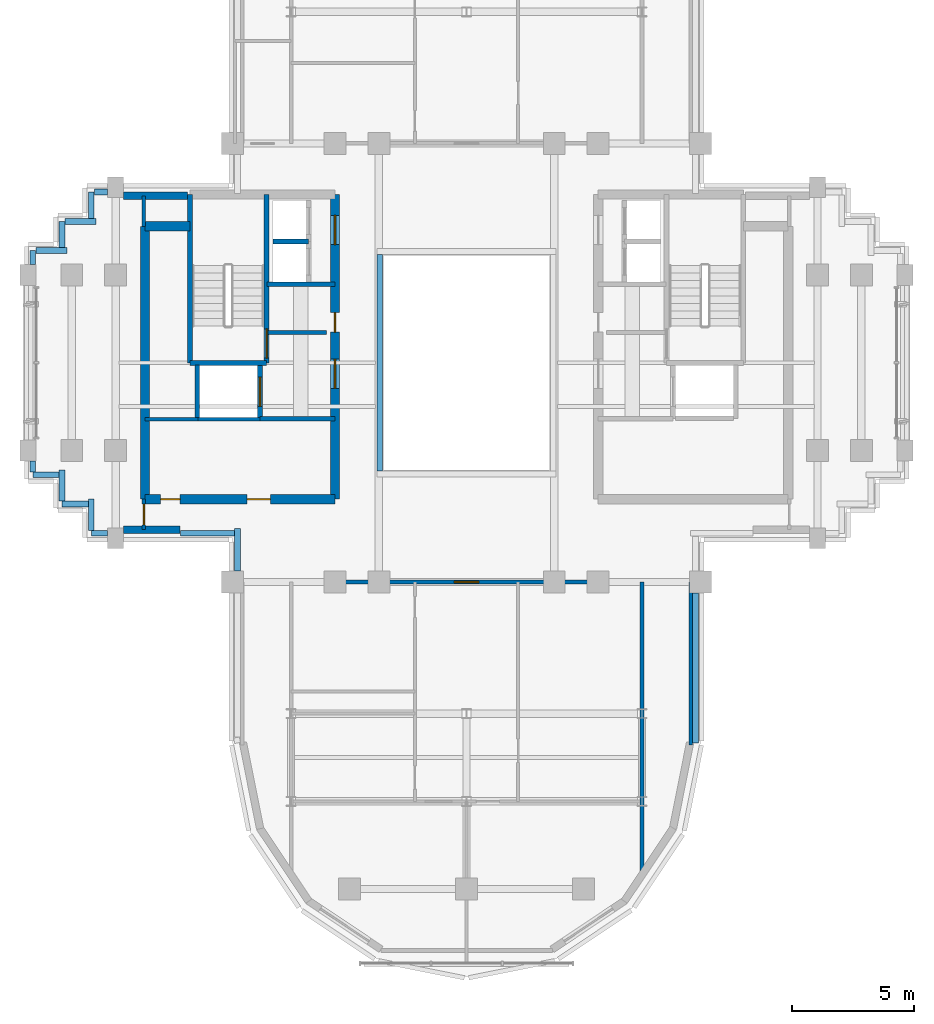
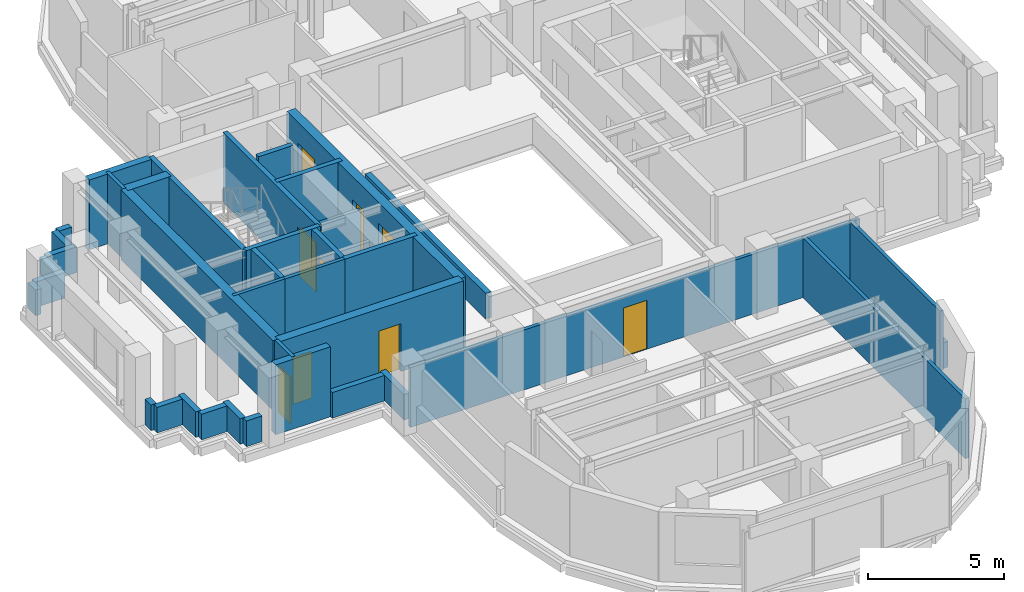
# One storey, part 6 of 11: 38 walls, 9 doors, 9 openings.
"""IFC4 building model written with IfcOpenShell, lengths in metres."""

from ifc_helpers import new_model, si_unit, direction, frame, frame_2d, origin, place, context, subcontext, project, spatial, rectangle, extrude, source, transform, mapped, material, layer, layer_set, type_object, element, fill, save


model = new_model("IFC4")

# Units and contexts
model_context = context("Model", 3, precision=1e-05, world=origin(), true_north=direction((0.0, 1.0)))
body_context = subcontext(model_context, "Body", "Model", "MODEL_VIEW")
ifc_project = project(units=[si_unit("LENGTHUNIT", "METRE"), si_unit("AREAUNIT", "SQUARE_METRE"), si_unit("VOLUMEUNIT", "CUBIC_METRE"), si_unit("PLANEANGLEUNIT", "RADIAN"), si_unit("MASSUNIT", "GRAM", prefix="KILO")], contexts=[model_context])

# Site, building, storey
site_placement = place(None, origin())
site = spatial("IfcSite", under=ifc_project, at=site_placement, CompositionType="ELEMENT")
building_placement = place(site_placement, origin())
building = spatial("IfcBuilding", under=site, at=building_placement, Name="Keilestroom Media Tower", CompositionType="ELEMENT")
storey_placement = place(building_placement, frame((0.0, 0.0, 211.39990234375)))
storey = spatial("IfcBuildingStorey", under=building, at=storey_placement, Name="L58", CompositionType="ELEMENT", Elevation=211.39990234375)

# Walls
ifc_material_1 = material(Name="Precast concrete C40/50", Category="concrete")
ifc_layer_1 = layer(ifc_material_1, 0.300048828125)
ifc_layer_set_1 = layer_set([ifc_layer_1], Name="Precast concrete C40/50")
wall_type_1 = type_object("IfcWallType", Name="Exterior-Masonry-Spandrel-Wall-300", PredefinedType="SOLIDWALL", material=ifc_layer_set_1)
wall_1_placement = place(storey_placement, frame((-14.0830078125, 6.85009765625, 0.0), z_axis=(0.0, 0.0, 1.0), x_axis=(1.0, 0.0, 0.0)))
element("IfcWall", 1, at=wall_1_placement, inside=storey, type_object=wall_type_1, Name="L58 Flank Masonry Wall EWL-L58-NW-1", PredefinedType="SOLIDWALL", context=body_context, shape_type="SweptSolid", body=[
    extrude(rectangle(XDim=2.635009765625, YDim=0.300048828125, at=frame_2d((1.3173828125, 0.0))), origin(), (0.0, 0.0, 1.0), 3.14013671875),
])
wall_2_placement = place(storey_placement, frame((-14.0830078125, -6.85009765625, 0.0), z_axis=(0.0, 0.0, 1.0), x_axis=(1.0, 0.0, 0.0)))
element("IfcWall", 2, at=wall_2_placement, inside=storey, type_object=wall_type_1, Name="L58 Flank Masonry Wall EWL-L58-SW-1", PredefinedType="SOLIDWALL", context=body_context, shape_type="SweptSolid", body=[
    extrude(rectangle(XDim=2.3330078125, YDim=0.300048828125, at=frame_2d((1.16650390625, 0.0))), origin(), (0.0, 0.0, 1.0), 3.14013671875),
])
ifc_material_2 = material(Name="Gypsum Plasterboard & Steel Stud", Category="steel")
ifc_layer_2 = layer(ifc_material_2, 0.14990234375)
ifc_layer_set_2 = layer_set([ifc_layer_2], Name="Gypsum Plasterboard & Steel Stud")
wall_type_2 = type_object("IfcWallType", Name="Interior-Partition-Wall-150", PredefinedType="PARTITIONING", material=ifc_layer_set_2)
wall_3_placement = place(storey_placement, frame((-8.139892578125, 1.239990234375, 0.0), z_axis=(0.0, 0.0, 1.0), x_axis=(1.0, 0.0, 0.0)))
element("IfcWall", 3, at=wall_3_placement, inside=storey, type_object=wall_type_2, Name="L58 Interior Wall WP-L58-FFW-TOP", PredefinedType="PARTITIONING", context=body_context, shape_type="SweptSolid", body=[
    extrude(rectangle(XDim=2.389892578125, YDim=0.14990234375, at=frame_2d((1.19482421875, 0.0))), origin(), (0.0, 0.0, 1.0), 2.239990234375),
])
wall_4_placement = place(storey_placement, frame((-13.199951171875, -2.320068359375, 0.0), z_axis=(0.0, 0.0, 1.0), x_axis=(1.0, 0.0, 0.0)))
element("IfcWall", 4, at=wall_4_placement, inside=storey, type_object=wall_type_2, Name="L58 Interior Wall WP-L58-RECLW-N", PredefinedType="PARTITIONING", context=body_context, shape_type="SweptSolid", body=[
    extrude(rectangle(XDim=2.179931640625, YDim=0.14990234375, at=frame_2d((1.08984375, 0.0))), origin(), (0.0, 0.0, 1.0), 3.14013671875),
])
wall_5_placement = place(storey_placement, frame((-11.0400390625, -2.320068359375, 0.0), z_axis=(0.0, 0.0, 1.0), x_axis=(1.0, 0.0, 0.0)))
element("IfcWall", 5, at=wall_5_placement, inside=storey, type_object=wall_type_2, Name="L58 Interior Wall WP-L58-RECMW-N", PredefinedType="PARTITIONING", context=body_context, shape_type="SweptSolid", body=[
    extrude(rectangle(XDim=2.56005859375, YDim=0.14990234375, at=frame_2d((1.280029296875, 0.0))), origin(), (0.0, 0.0, 1.0), 3.14013671875),
])

# Wall, opening, door
wall_6_placement = place(storey_placement, frame((-9.550048828125, -9.0, 0.0), z_axis=(0.0, 0.0, 1.0), x_axis=(1.0, 0.0, 0.0)))
wall_6 = element("IfcWall", 6, at=wall_6_placement, inside=storey, type_object=wall_type_2, Name="L58 Interior Wall WP-L58-FLT-S-ENTRY", PredefinedType="PARTITIONING", context=body_context, shape_type="SweptSolid", body=[
    extrude(rectangle(XDim=19.10009765625, YDim=0.14990234375, at=frame_2d((9.550048828125, 0.0))), origin(), (0.0, 0.0, 1.0), 2.690185546875),
])
opening_1_placement = place(wall_6_placement, frame((9.050048828125, 0.0, 0.0)))
opening_1 = element("IfcOpeningElement", 7, at=opening_1_placement, cuts=wall_6, Name="Opening DI-01", PredefinedType="OPENING", context=body_context, shape_type="SweptSolid", body=[
    extrude(rectangle(XDim=1.0, YDim=2.199951171875, at=frame_2d((0.5, 1.10009765625))), frame((0.0, 0.0849609375, 0.0), z_axis=(0.0, -1.0, 0.0), x_axis=(1.0, 0.0, 0.0)), (0.0, 0.0, 1.0), 0.169921875),
])
ifc_material_3 = material(Name="Solid-Core Timber Acoustic Fire Leaf", Category="wood")
door_type_1 = type_object("IfcDoorType", Name="Interior-Apartment-Entrance-Door-DI-01", OperationType="NOTDEFINED", PredefinedType="DOOR", material=ifc_material_3)
shared_shape_1 = source(origin(), body_context, "Body", "SweptSolid", [
    extrude(rectangle(XDim=1.0, YDim=2.199951171875, at=frame_2d((0.5, 1.10009765625))), frame((0.0, 0.02490234375, 0.0), z_axis=(0.0, -1.0, 0.0), x_axis=(1.0, 0.0, 0.0)), (0.0, 0.0, 1.0), 0.050048828125),
])
door_1_placement = place(opening_1_placement, origin())
door_1 = element("IfcDoor", 8, at=door_1_placement, inside=storey, type_object=door_type_1, Name="L58 Interior Door DI-L58-DFENT-S", OperationType="SINGLE_SWING_RIGHT", OverallHeight=2.199951171875, OverallWidth=1.0, PredefinedType="DOOR", context=body_context, shape_type="MappedRepresentation", body=[
    mapped(shared_shape_1, transform((0.0, 0.0, 0.0), x_axis=(1.0, 0.0, 0.0), y_axis=(0.0, 1.0, 0.0), z_axis=(0.0, 0.0, 1.0), scale=1.0)),
])
fill(opening_1, door_1)

# Walls
wall_7_placement = place(storey_placement, frame((9.199951171875, -15.679931640625, 0.0), z_axis=(0.0, 0.0, 1.0), x_axis=(0.0, 1.0, 0.0)))
element("IfcWall", 9, at=wall_7_placement, inside=storey, type_object=wall_type_2, Name="L58 Interior Wall WP-L58-SL-CHKE", PredefinedType="PARTITIONING", context=body_context, shape_type="SweptSolid", body=[
    extrude(rectangle(XDim=6.679931640625, YDim=0.14990234375, at=frame_2d((3.33984375, 0.0))), origin(), (0.0, 0.0, 1.0), 2.690185546875),
])
wall_8_placement = place(storey_placement, frame((7.199951171875, -21.02001953125, 0.0), z_axis=(0.0, 0.0, 1.0), x_axis=(0.0, 1.0, 0.0)))
element("IfcWall", 10, at=wall_8_placement, inside=storey, type_object=wall_type_2, Name="L58 Interior Wall WP-L58-FW-S-VR", PredefinedType="PARTITIONING", context=body_context, shape_type="SweptSolid", body=[
    extrude(rectangle(XDim=12.02001953125, YDim=0.14990234375, at=frame_2d((6.010009765625, 0.0))), origin(), (0.0, 0.0, 1.0), 2.690185546875),
])
wall_9_placement = place(storey_placement, frame((-13.239990234375, 5.60009765625, 0.0), z_axis=(0.0, 0.0, 1.0), x_axis=(0.0, 1.0, 0.0)))
element("IfcWall", 11, at=wall_9_placement, inside=storey, type_object=wall_type_2, Name="L58 Interior Wall WP-L58-RLIB-ENTN", PredefinedType="PARTITIONING", context=body_context, shape_type="SweptSolid", body=[
    extrude(rectangle(XDim=1.25, YDim=0.14990234375, at=frame_2d((0.625, 0.0))), origin(), (0.0, 0.0, 1.0), 3.14013671875),
])

# Wall, opening, door
wall_10_placement = place(storey_placement, frame((-13.239990234375, -6.85009765625, 0.0), z_axis=(0.0, 0.0, 1.0), x_axis=(0.0, 1.0, 0.0)))
wall_10 = element("IfcWall", 12, at=wall_10_placement, inside=storey, type_object=wall_type_2, Name="L58 Interior Wall WP-L58-RLIB-ENTS", PredefinedType="PARTITIONING", context=body_context, shape_type="SweptSolid", body=[
    extrude(rectangle(XDim=1.25, YDim=0.14990234375, at=frame_2d((0.625, 0.0))), origin(), (0.0, 0.0, 1.0), 3.14013671875),
])
opening_2_placement = place(wall_10_placement, frame((0.199951171875, 0.0, 0.0)))
opening_2 = element("IfcOpeningElement", 13, at=opening_2_placement, cuts=wall_10, Name="Opening DI-05", PredefinedType="OPENING", context=body_context, shape_type="SweptSolid", body=[
    extrude(rectangle(XDim=0.85009765625, YDim=2.10009765625, at=frame_2d((0.425048828125, 1.050048828125))), frame((0.0, 0.0849609375, 0.0), z_axis=(0.0, -1.0, 0.0), x_axis=(1.0, 0.0, 0.0)), (0.0, 0.0, 1.0), 0.169921875),
])
ifc_material_4 = material(Name="Moisture-Resistant Oak Leaf", Category="wood")
door_type_2 = type_object("IfcDoorType", Name="Interior-En-Suite-And-Cupboard-Door-DI-05", OperationType="NOTDEFINED", PredefinedType="DOOR", material=ifc_material_4)
shared_shape_2 = source(origin(), body_context, "Body", "SweptSolid", [
    extrude(rectangle(XDim=0.85009765625, YDim=2.10009765625, at=frame_2d((0.425048828125, 1.050048828125))), frame((0.0, 0.02490234375, 0.0), z_axis=(0.0, -1.0, 0.0), x_axis=(1.0, 0.0, 0.0)), (0.0, 0.0, 1.0), 0.050048828125),
])
door_2_placement = place(opening_2_placement, origin())
door_2 = element("IfcDoor", 14, at=door_2_placement, inside=storey, type_object=door_type_2, Name="L58 Interior Door DI-L58-DRLIB-W", OperationType="SINGLE_SWING_RIGHT", OverallHeight=2.10009765625, OverallWidth=0.85009765625, PredefinedType="DOOR", context=body_context, shape_type="MappedRepresentation", body=[
    mapped(shared_shape_2, transform((0.0, 0.0, 0.0), x_axis=(1.0, 0.0, 0.0), y_axis=(0.0, 1.0, 0.0), z_axis=(0.0, 0.0, 1.0), scale=1.0)),
])
fill(opening_2, door_2)

# Wall
ifc_material_5 = material(Name="Concrete C55/67", Category="concrete")
ifc_layer_3 = layer(ifc_material_5, 0.3798828125)
ifc_layer_set_3 = layer_set([ifc_layer_3], Name="Concrete C55/67")
wall_type_3 = type_object("IfcWallType", Name="Reinforced-Concrete-Core-Shear-Wall-380", PredefinedType="SHEAR", material=ifc_layer_set_3)
wall_11_placement = place(storey_placement, frame((-13.199951171875, -5.60009765625, 0.0), z_axis=(0.0, 0.0, 1.0), x_axis=(0.0, 1.0, 0.0)))
element("IfcWall", 15, at=wall_11_placement, inside=storey, type_object=wall_type_3, Name="L58 Core Shear Wall WL-L58-CORE-W-OUT", PredefinedType="SHEAR", context=body_context, shape_type="SweptSolid", body=[
    extrude(rectangle(XDim=11.2001953125, YDim=0.3798828125, at=frame_2d((5.60009765625, 0.0))), origin(), (0.0, 0.0, 1.0), 3.14013671875),
])

# Wall, openings, doors
wall_12_placement = place(storey_placement, frame((-5.39990234375, -5.60009765625, 0.0), z_axis=(0.0, 0.0, 1.0), x_axis=(0.0, 1.0, 0.0)))
wall_12 = element("IfcWall", 16, at=wall_12_placement, inside=storey, type_object=wall_type_3, Name="L58 Core Shear Wall WL-L58-CORE-W-IN", PredefinedType="SHEAR", context=body_context, shape_type="SweptSolid", body=[
    extrude(rectangle(XDim=12.5, YDim=0.3798828125, at=frame_2d((6.25, 0.0))), origin(), (0.0, 0.0, 1.0), 3.14013671875),
])
opening_3_placement = place(wall_12_placement, frame((4.550048828125, 0.0, 0.0)))
opening_3 = element("IfcOpeningElement", 17, at=opening_3_placement, cuts=wall_12, Name="Opening DI-02", PredefinedType="OPENING", context=body_context, shape_type="SweptSolid", body=[
    extrude(rectangle(XDim=1.199951171875, YDim=2.199951171875, at=frame_2d((0.60009765625, 1.10009765625))), frame((0.0, 0.199951171875, 0.0), z_axis=(0.0, -1.0, 0.0), x_axis=(1.0, 0.0, 0.0)), (0.0, 0.0, 1.0), 0.39990234375),
])
opening_4_placement = place(wall_12_placement, frame((10.449951171875, 0.0, 0.0)))
opening_4 = element("IfcOpeningElement", 18, at=opening_4_placement, cuts=wall_12, Name="Opening DI-02", PredefinedType="OPENING", context=body_context, shape_type="SweptSolid", body=[
    extrude(rectangle(XDim=1.199951171875, YDim=2.199951171875, at=frame_2d((0.60009765625, 1.10009765625))), frame((0.0, 0.199951171875, 0.0), z_axis=(0.0, -1.0, 0.0), x_axis=(1.0, 0.0, 0.0)), (0.0, 0.0, 1.0), 0.39990234375),
])
opening_5_placement = place(wall_12_placement, frame((6.860107421875, 0.0, 0.0)))
opening_5 = element("IfcOpeningElement", 19, at=opening_5_placement, cuts=wall_12, Name="Opening DI-06", PredefinedType="OPENING", context=body_context, shape_type="SweptSolid", body=[
    extrude(rectangle(XDim=0.800048828125, YDim=2.10009765625, at=frame_2d((0.39990234375, 1.050048828125))), frame((0.0, 0.199951171875, 0.0), z_axis=(0.0, -1.0, 0.0), x_axis=(1.0, 0.0, 0.0)), (0.0, 0.0, 1.0), 0.39990234375),
])
ifc_material_6 = material(Name="Powder-Coated Steel Fire Leaf", Category="steel")
door_type_3 = type_object("IfcDoorType", Name="Interior-Compartment-Fire-Door-DI-02", OperationType="NOTDEFINED", PredefinedType="DOOR", material=ifc_material_6)
shared_shape_3 = source(origin(), body_context, "Body", "SweptSolid", [
    extrude(rectangle(XDim=1.199951171875, YDim=2.199951171875, at=frame_2d((0.60009765625, 1.10009765625))), frame((0.0, 0.02490234375, 0.0), z_axis=(0.0, -1.0, 0.0), x_axis=(1.0, 0.0, 0.0)), (0.0, 0.0, 1.0), 0.050048828125),
])
door_3_placement = place(opening_3_placement, origin())
door_3 = element("IfcDoor", 20, at=door_3_placement, inside=storey, type_object=door_type_3, Name="L58 W Firefighting Lobby Door", OperationType="SINGLE_SWING_RIGHT", OverallHeight=2.199951171875, OverallWidth=1.199951171875, PredefinedType="DOOR", context=body_context, shape_type="MappedRepresentation", body=[
    mapped(shared_shape_3, transform((0.0, 0.0, 0.0), x_axis=(1.0, 0.0, 0.0), y_axis=(0.0, 1.0, 0.0), z_axis=(0.0, 0.0, 1.0), scale=1.0)),
])
fill(opening_3, door_3)
door_4_placement = place(opening_4_placement, origin())
door_4 = element("IfcDoor", 21, at=door_4_placement, inside=storey, type_object=door_type_3, Name="L58 W High-Rise Lift Lobby Door", OperationType="SINGLE_SWING_LEFT", OverallHeight=2.199951171875, OverallWidth=1.199951171875, PredefinedType="DOOR", context=body_context, shape_type="MappedRepresentation", body=[
    mapped(shared_shape_3, transform((0.0, 0.0, 0.0), x_axis=(1.0, 0.0, 0.0), y_axis=(0.0, 1.0, 0.0), z_axis=(0.0, 0.0, 1.0), scale=1.0)),
])
fill(opening_4, door_4)
ifc_material_7 = material(Name="Powder-Coated Steel Service Leaf", Category="steel")
door_type_4 = type_object("IfcDoorType", Name="Interior-Riser-Access-Door-DI-06", OperationType="NOTDEFINED", PredefinedType="DOOR", material=ifc_material_7)
shared_shape_4 = source(origin(), body_context, "Body", "SweptSolid", [
    extrude(rectangle(XDim=0.800048828125, YDim=2.10009765625, at=frame_2d((0.39990234375, 1.050048828125))), frame((0.0, 0.02490234375, 0.0), z_axis=(0.0, -1.0, 0.0), x_axis=(1.0, 0.0, 0.0)), (0.0, 0.0, 1.0), 0.050048828125),
])
door_5_placement = place(opening_5_placement, origin())
door_5 = element("IfcDoor", 22, at=door_5_placement, inside=storey, type_object=door_type_4, Name="L58 West Core Switchroom Door", OperationType="SINGLE_SWING_LEFT", OverallHeight=2.10009765625, OverallWidth=0.800048828125, PredefinedType="DOOR", context=body_context, shape_type="MappedRepresentation", body=[
    mapped(shared_shape_4, transform((0.0, 0.0, 0.0), x_axis=(1.0, 0.0, 0.0), y_axis=(0.0, 1.0, 0.0), z_axis=(0.0, 0.0, 1.0), scale=1.0)),
])
fill(opening_5, door_5)

# Wall
wall_13_placement = place(storey_placement, frame((-13.199951171875, 5.60009765625, 0.0), z_axis=(0.0, 0.0, 1.0), x_axis=(1.0, 0.0, 0.0)))
element("IfcWall", 23, at=wall_13_placement, inside=storey, type_object=wall_type_3, Name="L58 Core Shear Wall WL-L58-CNW-N", PredefinedType="SHEAR", context=body_context, shape_type="SweptSolid", body=[
    extrude(rectangle(XDim=1.843994140625, YDim=0.3798828125, at=frame_2d((0.921875, 0.0))), origin(), (0.0, 0.0, 1.0), 3.14013671875),
])

# Wall, openings, doors
wall_14_placement = place(storey_placement, frame((-13.199951171875, -5.60009765625, 0.0), z_axis=(0.0, 0.0, 1.0), x_axis=(1.0, 0.0, 0.0)))
wall_14 = element("IfcWall", 24, at=wall_14_placement, inside=storey, type_object=wall_type_3, Name="L58 Core Shear Wall WL-L58-CORE-W-S", PredefinedType="SHEAR", context=body_context, shape_type="SweptSolid", body=[
    extrude(rectangle(XDim=7.800048828125, YDim=0.3798828125, at=frame_2d((3.89990234375, 0.0))), origin(), (0.0, 0.0, 1.0), 3.14013671875),
])
opening_6_placement = place(wall_14_placement, frame((0.64990234375, 0.0, 0.0)))
opening_6 = element("IfcOpeningElement", 25, at=opening_6_placement, cuts=wall_14, Name="Opening DI-06", PredefinedType="OPENING", context=body_context, shape_type="SweptSolid", body=[
    extrude(rectangle(XDim=0.800048828125, YDim=2.10009765625, at=frame_2d((0.39990234375, 1.050048828125))), frame((0.0, 0.199951171875, 0.0), z_axis=(0.0, -1.0, 0.0), x_axis=(1.0, 0.0, 0.0)), (0.0, 0.0, 1.0), 0.39990234375),
])
opening_7_placement = place(wall_14_placement, frame((4.199951171875, 0.0, 0.0)))
opening_7 = element("IfcOpeningElement", 26, at=opening_7_placement, cuts=wall_14, Name="Opening DI-03", PredefinedType="OPENING", context=body_context, shape_type="SweptSolid", body=[
    extrude(rectangle(XDim=0.949951171875, YDim=2.14990234375, at=frame_2d((0.47509765625, 1.074951171875))), frame((0.0, 0.199951171875, 0.0), z_axis=(0.0, -1.0, 0.0), x_axis=(1.0, 0.0, 0.0)), (0.0, 0.0, 1.0), 0.39990234375),
])
door_6_placement = place(opening_6_placement, origin())
door_6 = element("IfcDoor", 27, at=door_6_placement, inside=storey, type_object=door_type_4, Name="L58 Reclaimed West Core Room Door", OperationType="SINGLE_SWING_LEFT", OverallHeight=2.10009765625, OverallWidth=0.800048828125, PredefinedType="DOOR", context=body_context, shape_type="MappedRepresentation", body=[
    mapped(shared_shape_4, transform((0.0, 0.0, 0.0), x_axis=(1.0, 0.0, 0.0), y_axis=(0.0, 1.0, 0.0), z_axis=(0.0, 0.0, 1.0), scale=1.0)),
])
fill(opening_6, door_6)
ifc_material_8 = material(Name="Lacquered European Oak Leaf", Category="wood")
door_type_5 = type_object("IfcDoorType", Name="Interior-Room-And-Suite-Door-DI-03", OperationType="NOTDEFINED", PredefinedType="DOOR", material=ifc_material_8)
shared_shape_5 = source(origin(), body_context, "Body", "SweptSolid", [
    extrude(rectangle(XDim=0.949951171875, YDim=2.14990234375, at=frame_2d((0.47509765625, 1.074951171875))), frame((0.0, 0.02490234375, 0.0), z_axis=(0.0, -1.0, 0.0), x_axis=(1.0, 0.0, 0.0)), (0.0, 0.0, 1.0), 0.050048828125),
])
door_7_placement = place(opening_7_placement, origin())
door_7 = element("IfcDoor", 28, at=door_7_placement, inside=storey, type_object=door_type_5, Name="L58 Reclaimed Mid West Room Door", OperationType="SINGLE_SWING_LEFT", OverallHeight=2.14990234375, OverallWidth=0.949951171875, PredefinedType="DOOR", context=body_context, shape_type="MappedRepresentation", body=[
    mapped(shared_shape_5, transform((0.0, 0.0, 0.0), x_axis=(1.0, 0.0, 0.0), y_axis=(0.0, 1.0, 0.0), z_axis=(0.0, 0.0, 1.0), scale=1.0)),
])
fill(opening_7, door_7)

# Walls
ifc_material_9 = material(Name="Concrete C50/60", Category="concrete")
ifc_layer_4 = layer(ifc_material_9, 0.199951171875)
ifc_layer_set_4 = layer_set([ifc_layer_4], Name="Concrete C50/60")
wall_type_4 = type_object("IfcWallType", Name="Reinforced-Concrete-Shaft-Wall-200", PredefinedType="SOLIDWALL", material=ifc_layer_set_4)
wall_15_placement = place(storey_placement, frame((-8.179931640625, 3.219970703125, 0.0), z_axis=(0.0, 0.0, 1.0), x_axis=(1.0, 0.0, 0.0)))
element("IfcWall", 29, at=wall_15_placement, inside=storey, type_object=wall_type_4, Name="L58 Core Shear Wall WL-L58-CORE-W-FFN", PredefinedType="SOLIDWALL", context=body_context, shape_type="SweptSolid", body=[
    extrude(rectangle(XDim=2.780029296875, YDim=0.199951171875, at=frame_2d((1.39013671875, 0.0))), origin(), (0.0, 0.0, 1.0), 3.14013671875),
])
wall_16_placement = place(storey_placement, frame((-8.47998046875, -2.300048828125, 0.0), z_axis=(0.0, 0.0, 1.0), x_axis=(1.0, 0.0, 0.0)))
element("IfcWall", 30, at=wall_16_placement, inside=storey, type_object=wall_type_4, Name="L58 Core Shear Wall WL-L58-CORE-W-FFS", PredefinedType="SOLIDWALL", context=body_context, shape_type="SweptSolid", body=[
    extrude(rectangle(XDim=3.080078125, YDim=0.199951171875, at=frame_2d((1.5400390625, 0.0))), origin(), (0.0, 0.0, 1.0), 3.14013671875),
])

# Wall, opening, door
wall_17_placement = place(storey_placement, frame((-8.2041015625, -0.01611328125, 0.0), z_axis=(0.0, 0.0, 1.0), x_axis=(0.0, 1.0, 0.0)))
wall_17 = element("IfcWall", 31, at=wall_17_placement, inside=storey, type_object=wall_type_4, Name="L58 Core Shear Wall WL-L58-STW-W-NEAR", PredefinedType="SOLIDWALL", context=body_context, shape_type="SweptSolid", body=[
    extrude(rectangle(XDim=6.916015625, YDim=0.199951171875, at=frame_2d((3.4580078125, 0.0))), origin(), (0.0, 0.0, 1.0), 3.14013671875),
])
opening_8_placement = place(wall_17_placement, frame((0.199951171875, 0.0, 0.0)))
opening_8 = element("IfcOpeningElement", 32, at=opening_8_placement, cuts=wall_17, Name="Opening DI-01S", PredefinedType="OPENING", context=body_context, shape_type="SweptSolid", body=[
    extrude(rectangle(XDim=1.199951171875, YDim=2.199951171875, at=frame_2d((0.60009765625, 1.10009765625))), frame((0.0, 0.10986328125, 0.0), z_axis=(0.0, -1.0, 0.0), x_axis=(1.0, 0.0, 0.0)), (0.0, 0.0, 1.0), 0.219970703125),
])
door_type_6 = type_object("IfcDoorType", Name="Interior-Stair-And-Core-Fire-Door-DI-01", OperationType="NOTDEFINED", PredefinedType="DOOR", material=ifc_material_6)
door_8_placement = place(opening_8_placement, origin())
door_8 = element("IfcDoor", 33, at=door_8_placement, inside=storey, type_object=door_type_6, Name="L58 Escape Stair ST-1 Fire Door", OperationType="SINGLE_SWING_LEFT", OverallHeight=2.199951171875, OverallWidth=1.199951171875, PredefinedType="DOOR", context=body_context, shape_type="MappedRepresentation", body=[
    mapped(shared_shape_3, transform((0.0, 0.0, 0.0), x_axis=(1.0, 0.0, 0.0), y_axis=(0.0, 1.0, 0.0), z_axis=(0.0, 0.0, 1.0), scale=1.0)),
])
fill(opening_8, door_8)

# Walls
wall_18_placement = place(storey_placement, frame((-11.35595703125, -0.01611328125, 0.0), z_axis=(0.0, 0.0, 1.0), x_axis=(0.0, 1.0, 0.0)))
element("IfcWall", 34, at=wall_18_placement, inside=storey, type_object=wall_type_4, Name="L58 Core Shear Wall WL-L58-STW-W-FAR", PredefinedType="SOLIDWALL", context=body_context, shape_type="SweptSolid", body=[
    extrude(rectangle(XDim=6.916015625, YDim=0.199951171875, at=frame_2d((3.4580078125, 0.0))), origin(), (0.0, 0.0, 1.0), 3.14013671875),
])
wall_19_placement = place(storey_placement, frame((-11.35595703125, -0.01611328125, 0.0), z_axis=(0.0, 0.0, 1.0), x_axis=(1.0, 0.0, 0.0)))
element("IfcWall", 35, at=wall_19_placement, inside=storey, type_object=wall_type_4, Name="L58 Core Shear Wall WL-L58-STW-W-S", PredefinedType="SOLIDWALL", context=body_context, shape_type="SweptSolid", body=[
    extrude(rectangle(XDim=3.15185546875, YDim=0.199951171875, at=frame_2d((1.575927734375, 0.0))), origin(), (0.0, 0.0, 1.0), 3.14013671875),
])
wall_20_placement = place(storey_placement, frame((-11.050048828125, -2.280029296875, 0.0), z_axis=(0.0, 0.0, 1.0), x_axis=(0.0, 1.0, 0.0)))
element("IfcWall", 36, at=wall_20_placement, inside=storey, type_object=wall_type_4, Name="L58 Core Shear Wall WL-L58-LSH-FFL-1-W", PredefinedType="SOLIDWALL", context=body_context, shape_type="SweptSolid", body=[
    extrude(rectangle(XDim=2.179931640625, YDim=0.199951171875, at=frame_2d((1.08984375, 0.0))), origin(), (0.0, 0.0, 1.0), 3.14013671875),
])

# Wall, opening, door
wall_21_placement = place(storey_placement, frame((-8.47998046875, -2.280029296875, 0.0), z_axis=(0.0, 0.0, 1.0), x_axis=(0.0, 1.0, 0.0)))
wall_21 = element("IfcWall", 37, at=wall_21_placement, inside=storey, type_object=wall_type_4, Name="L58 Core Shear Wall WL-L58-LSH-FFL-1-E", PredefinedType="SOLIDWALL", context=body_context, shape_type="SweptSolid", body=[
    extrude(rectangle(XDim=2.179931640625, YDim=0.199951171875, at=frame_2d((1.08984375, 0.0))), origin(), (0.0, 0.0, 1.0), 3.14013671875),
])
opening_9_placement = place(wall_21_placement, frame((0.489990234375, 0.0, 0.0)))
opening_9 = element("IfcOpeningElement", 38, at=opening_9_placement, cuts=wall_21, Name="Opening LD-02", PredefinedType="OPENING", context=body_context, shape_type="SweptSolid", body=[
    extrude(rectangle(XDim=1.199951171875, YDim=2.199951171875, at=frame_2d((0.60009765625, 1.10009765625))), frame((0.0, 0.10986328125, 0.0), z_axis=(0.0, -1.0, 0.0), x_axis=(1.0, 0.0, 0.0)), (0.0, 0.0, 1.0), 0.219970703125),
])
ifc_material_10 = material(Name="Brushed Stainless Steel Sliding Leaf", Category="steel")
door_type_7 = type_object("IfcDoorType", Name="Lift-Landing-Sliding-Door-LD-02", OperationType="SLIDING_TO_RIGHT", PredefinedType="DOOR", material=ifc_material_10)
door_9_placement = place(opening_9_placement, origin())
door_9 = element("IfcDoor", 39, at=door_9_placement, inside=storey, type_object=door_type_7, Name="L58 Lift FFL-1 Landing Sliding Door", OperationType="SLIDING_TO_RIGHT", OverallHeight=2.199951171875, OverallWidth=1.199951171875, PredefinedType="DOOR", context=body_context, shape_type="MappedRepresentation", body=[
    mapped(shared_shape_3, transform((0.0, 0.0, 0.0), x_axis=(1.0, 0.0, 0.0), y_axis=(0.0, 1.0, 0.0), z_axis=(0.0, 0.0, 1.0), scale=1.0)),
])
fill(opening_9, door_9)

# Walls
wall_22_placement = place(storey_placement, frame((-7.949951171875, 4.97998046875, 0.0), z_axis=(0.0, 0.0, 1.0), x_axis=(1.0, 0.0, 0.0)))
element("IfcWall", 40, at=wall_22_placement, inside=storey, type_object=wall_type_4, Name="L58 Core Shear Wall WL-L58-LSH-PL-H1-N", PredefinedType="SOLIDWALL", context=body_context, shape_type="SweptSolid", body=[
    extrude(rectangle(XDim=1.469970703125, YDim=0.199951171875, at=frame_2d((0.73486328125, 0.0))), origin(), (0.0, 0.0, 1.0), 3.14013671875),
])
ifc_layer_5 = layer(ifc_material_1, 0.239990234375)
ifc_layer_set_5 = layer_set([ifc_layer_5], Name="Precast concrete C40/50")
wall_type_5 = type_object("IfcWallType", Name="Roof-And-Terrace-Parapet-Wall-240", PredefinedType="PARAPET", material=ifc_layer_set_5)
wall_23_placement = place(storey_placement, frame((9.39990234375, -9.452880859375, 0.0), z_axis=(0.0, 0.0, 1.0), x_axis=(0.0, -1.0, 0.0)))
element("IfcWall", 41, at=wall_23_placement, inside=storey, type_object=wall_type_5, Name="L58 Perimeter Edge Parapet Wall 08", PredefinedType="PARAPET", context=body_context, shape_type="SweptSolid", body=[
    extrude(rectangle(XDim=6.14990234375, YDim=0.239990234375, at=frame_2d((3.074951171875, 0.0))), origin(), (0.0, 0.0, 1.0), 1.150146484375),
])
wall_24_placement = place(storey_placement, frame((-9.39990234375, -8.547119140625, 0.0), z_axis=(0.0, 0.0, 1.0), x_axis=(0.0, 1.0, 0.0)))
element("IfcWall", 42, at=wall_24_placement, inside=storey, type_object=wall_type_5, Name="L58 Perimeter Edge Parapet Wall 11", PredefinedType="PARAPET", context=body_context, shape_type="SweptSolid", body=[
    extrude(rectangle(XDim=1.7470703125, YDim=0.239990234375, at=frame_2d((0.87353515625, 0.0))), origin(), (0.0, 0.0, 1.0), 1.150146484375),
])
wall_25_placement = place(storey_placement, frame((-9.52294921875, -7.0, 0.0), z_axis=(0.0, 0.0, 1.0), x_axis=(-1.0, 0.0, 0.0)))
element("IfcWall", 43, at=wall_25_placement, inside=storey, type_object=wall_type_5, Name="L58 Perimeter Edge Parapet Wall 12", PredefinedType="PARAPET", context=body_context, shape_type="SweptSolid", body=[
    extrude(rectangle(XDim=2.22412109375, YDim=0.239990234375, at=frame_2d((1.112060546875, 0.0))), origin(), (0.0, 0.0, 1.0), 1.150146484375),
])
wall_26_placement = place(storey_placement, frame((-14.72802734375, -7.0, 0.0), z_axis=(0.0, 0.0, 1.0), x_axis=(-1.0, 0.0, 0.0)))
element("IfcWall", 44, at=wall_26_placement, inside=storey, type_object=wall_type_5, Name="L58 Perimeter Edge Parapet Wall 13", PredefinedType="PARAPET", context=body_context, shape_type="SweptSolid", body=[
    extrude(rectangle(XDim=0.671875, YDim=0.239990234375, at=frame_2d((0.3359375, 0.0))), origin(), (0.0, 0.0, 1.0), 1.150146484375),
])
wall_27_placement = place(storey_placement, frame((-15.39990234375, -6.876953125, 0.0), z_axis=(0.0, 0.0, 1.0), x_axis=(0.0, 1.0, 0.0)))
element("IfcWall", 45, at=wall_27_placement, inside=storey, type_object=wall_type_5, Name="L58 Perimeter Edge Parapet Wall 14", PredefinedType="PARAPET", context=body_context, shape_type="SweptSolid", body=[
    extrude(rectangle(XDim=1.27685546875, YDim=0.239990234375, at=frame_2d((0.638427734375, 0.0))), origin(), (0.0, 0.0, 1.0), 1.150146484375),
])
wall_28_placement = place(storey_placement, frame((-15.52294921875, -5.800048828125, 0.0), z_axis=(0.0, 0.0, 1.0), x_axis=(-1.0, 0.0, 0.0)))
element("IfcWall", 46, at=wall_28_placement, inside=storey, type_object=wall_type_5, Name="L58 Perimeter Edge Parapet Wall 15", PredefinedType="PARAPET", context=body_context, shape_type="SweptSolid", body=[
    extrude(rectangle(XDim=1.0771484375, YDim=0.239990234375, at=frame_2d((0.53857421875, 0.0))), origin(), (0.0, 0.0, 1.0), 1.150146484375),
])
wall_29_placement = place(storey_placement, frame((-16.60009765625, -5.677001953125, 0.0), z_axis=(0.0, 0.0, 1.0), x_axis=(0.0, 1.0, 0.0)))
element("IfcWall", 47, at=wall_29_placement, inside=storey, type_object=wall_type_5, Name="L58 Perimeter Edge Parapet Wall 16", PredefinedType="PARAPET", context=body_context, shape_type="SweptSolid", body=[
    extrude(rectangle(XDim=1.277099609375, YDim=0.239990234375, at=frame_2d((0.638671875, 0.0))), origin(), (0.0, 0.0, 1.0), 1.150146484375),
])
wall_30_placement = place(storey_placement, frame((-16.722900390625, -4.60009765625, 0.0), z_axis=(0.0, 0.0, 1.0), x_axis=(-1.0, 0.0, 0.0)))
element("IfcWall", 48, at=wall_30_placement, inside=storey, type_object=wall_type_5, Name="L58 Perimeter Edge Parapet Wall 17", PredefinedType="PARAPET", context=body_context, shape_type="SweptSolid", body=[
    extrude(rectangle(XDim=1.0771484375, YDim=0.239990234375, at=frame_2d((0.53857421875, 0.0))), origin(), (0.0, 0.0, 1.0), 1.150146484375),
])
wall_31_placement = place(storey_placement, frame((-17.800048828125, -4.47705078125, 0.0), z_axis=(0.0, 0.0, 1.0), x_axis=(0.0, 1.0, 0.0)))
element("IfcWall", 49, at=wall_31_placement, inside=storey, type_object=wall_type_5, Name="L58 Perimeter Edge Parapet Wall 18", PredefinedType="PARAPET", context=body_context, shape_type="SweptSolid", body=[
    extrude(rectangle(XDim=0.448974609375, YDim=0.239990234375, at=frame_2d((0.224609375, 0.0))), origin(), (0.0, 0.0, 1.0), 1.150146484375),
])
wall_32_placement = place(storey_placement, frame((-17.800048828125, 4.028076171875, 0.0), z_axis=(0.0, 0.0, 1.0), x_axis=(0.0, 1.0, 0.0)))
element("IfcWall", 50, at=wall_32_placement, inside=storey, type_object=wall_type_5, Name="L58 Perimeter Edge Parapet Wall 19", PredefinedType="PARAPET", context=body_context, shape_type="SweptSolid", body=[
    extrude(rectangle(XDim=0.572021484375, YDim=0.239990234375, at=frame_2d((0.2861328125, 0.0))), origin(), (0.0, 0.0, 1.0), 1.150146484375),
])
wall_33_placement = place(storey_placement, frame((-17.677001953125, 4.60009765625, 0.0), z_axis=(0.0, 0.0, 1.0), x_axis=(1.0, 0.0, 0.0)))
element("IfcWall", 51, at=wall_33_placement, inside=storey, type_object=wall_type_5, Name="L58 Perimeter Edge Parapet Wall 20", PredefinedType="PARAPET", context=body_context, shape_type="SweptSolid", body=[
    extrude(rectangle(XDim=1.277099609375, YDim=0.239990234375, at=frame_2d((0.638671875, 0.0))), origin(), (0.0, 0.0, 1.0), 1.150146484375),
])
wall_34_placement = place(storey_placement, frame((-16.60009765625, 4.722900390625, 0.0), z_axis=(0.0, 0.0, 1.0), x_axis=(0.0, 1.0, 0.0)))
element("IfcWall", 52, at=wall_34_placement, inside=storey, type_object=wall_type_5, Name="L58 Perimeter Edge Parapet Wall 21", PredefinedType="PARAPET", context=body_context, shape_type="SweptSolid", body=[
    extrude(rectangle(XDim=1.0771484375, YDim=0.239990234375, at=frame_2d((0.53857421875, 0.0))), origin(), (0.0, 0.0, 1.0), 1.150146484375),
])
wall_35_placement = place(storey_placement, frame((-16.47705078125, 5.800048828125, 0.0), z_axis=(0.0, 0.0, 1.0), x_axis=(1.0, 0.0, 0.0)))
element("IfcWall", 53, at=wall_35_placement, inside=storey, type_object=wall_type_5, Name="L58 Perimeter Edge Parapet Wall 22", PredefinedType="PARAPET", context=body_context, shape_type="SweptSolid", body=[
    extrude(rectangle(XDim=1.277099609375, YDim=0.239990234375, at=frame_2d((0.638671875, 0.0))), origin(), (0.0, 0.0, 1.0), 1.150146484375),
])
wall_36_placement = place(storey_placement, frame((-15.39990234375, 5.923095703125, 0.0), z_axis=(0.0, 0.0, 1.0), x_axis=(0.0, 1.0, 0.0)))
element("IfcWall", 54, at=wall_36_placement, inside=storey, type_object=wall_type_5, Name="L58 Perimeter Edge Parapet Wall 23", PredefinedType="PARAPET", context=body_context, shape_type="SweptSolid", body=[
    extrude(rectangle(XDim=1.076904296875, YDim=0.239990234375, at=frame_2d((0.53857421875, 0.0))), origin(), (0.0, 0.0, 1.0), 1.150146484375),
])
wall_37_placement = place(storey_placement, frame((-15.277099609375, 7.0, 0.0), z_axis=(0.0, 0.0, 1.0), x_axis=(1.0, 0.0, 0.0)))
element("IfcWall", 55, at=wall_37_placement, inside=storey, type_object=wall_type_5, Name="L58 Perimeter Edge Parapet Wall 24", PredefinedType="PARAPET", context=body_context, shape_type="SweptSolid", body=[
    extrude(rectangle(XDim=0.549072265625, YDim=0.239990234375, at=frame_2d((0.2744140625, 0.0))), origin(), (0.0, 0.0, 1.0), 1.150146484375),
])
wall_38_placement = place(storey_placement, frame((-3.56005859375, -4.43505859375, 0.0), z_axis=(0.0, 0.0, 1.0), x_axis=(0.0, 1.0, 0.0)))
element("IfcWall", 56, at=wall_38_placement, inside=storey, type_object=wall_type_5, Name="L58 Central Atrium Guard Parapet W", PredefinedType="PARAPET", context=body_context, shape_type="SweptSolid", body=[
    extrude(rectangle(XDim=8.8701171875, YDim=0.239990234375, at=frame_2d((4.43505859375, 0.0))), origin(), (0.0, 0.0, 1.0), 1.150146484375),
])

save(model, "model.ifc")
